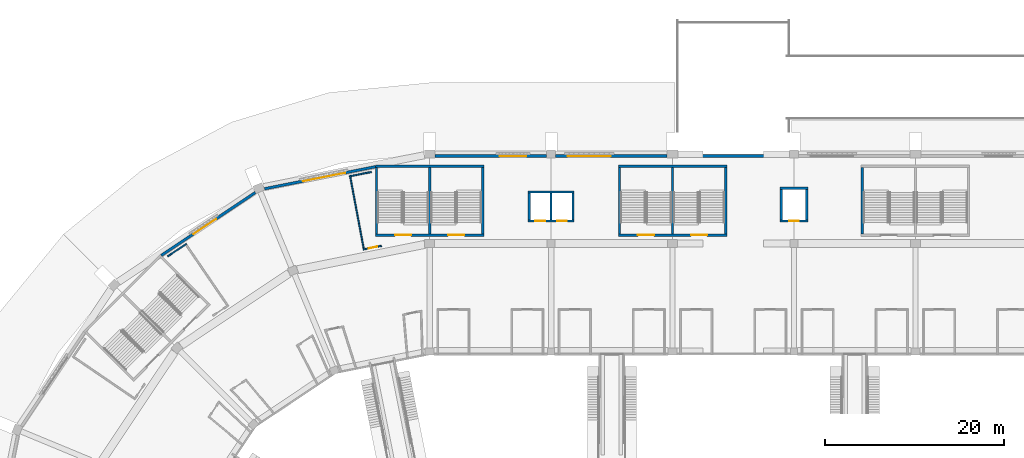
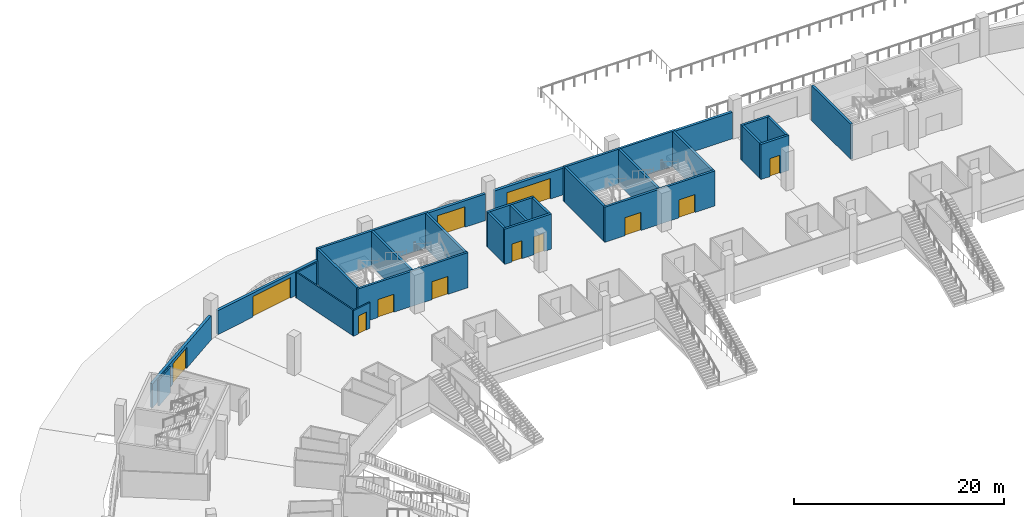
# One storey, part 39 of 175: 29 walls, 12 doors, 12 openings.
"""IFC4 building model written with IfcOpenShell, lengths in metres."""

from ifc_helpers import new_model, si_unit, direction, frame, frame_2d, origin, place, context, subcontext, project, spatial, rectangle, extrude, material, layer, layer_set, type_object, element, fill, save


model = new_model("IFC4")

# Units and contexts
model_context = context("Model", 3, precision=1e-05, world=origin(), true_north=direction((0.0, 1.0)))
body_context = subcontext(model_context, "Body", "Model", "MODEL_VIEW")
ifc_project = project(units=[si_unit("LENGTHUNIT", "METRE"), si_unit("AREAUNIT", "SQUARE_METRE"), si_unit("VOLUMEUNIT", "CUBIC_METRE"), si_unit("PLANEANGLEUNIT", "RADIAN"), si_unit("MASSUNIT", "GRAM", prefix="KILO")], contexts=[model_context])

# Site, building, storey
site_placement = place(None, origin())
site = spatial("IfcSite", under=ifc_project, at=site_placement, CompositionType="ELEMENT")
building_placement = place(site_placement, origin())
building = spatial("IfcBuilding", under=site, at=building_placement, Name="Ogive Plaza Stadium", CompositionType="ELEMENT")
storey_placement = place(building_placement, origin())
storey = spatial("IfcBuildingStorey", under=building, at=storey_placement, Name="L00", CompositionType="ELEMENT", Elevation=0.0)

# Wall
ifc_material_1 = material(Name="Masonry blockwork", Category="masonry")
ifc_layer_1 = layer(ifc_material_1, 0.14990234375)
ifc_layer_set_1 = layer_set([ifc_layer_1], Name="Blockwork wall 150")
wall_type_1 = type_object("IfcWallType", Name="Blockwork wall 150", PredefinedType="SOLIDWALL", material=ifc_layer_set_1)
wall_1_placement = place(storey_placement, frame((-63.332763671875, 91.053955078125, 0.0), z_axis=(0.0, 0.0, 1.0), x_axis=(0.831482054195, 0.555551611961, 0.0)))
element("IfcWall", 1, at=wall_1_placement, inside=storey, type_object=wall_type_1, Name="Wall L00 B30", PredefinedType="SOLIDWALL", context=body_context, shape_type="SweptSolid", body=[
    extrude(rectangle(XDim=2.513671875, YDim=0.14990234375, at=frame_2d((1.2568359375, 0.0))), origin(), (0.0, 0.0, 1.0), 3.0),
])

# Wall, opening, door
wall_2_placement = place(storey_placement, frame((-39.396240234375, 92.2265625, 0.0), z_axis=(0.0, 0.0, 1.0), x_axis=(-0.980792255889, -0.195055250603, 0.0)))
wall_2 = element("IfcWall", 2, at=wall_2_placement, inside=storey, type_object=wall_type_1, Name="Wall L00 B31", PredefinedType="SOLIDWALL", context=body_context, shape_type="SweptSolid", body=[
    extrude(rectangle(XDim=2.080322265625, YDim=0.14990234375, at=frame_2d((1.0400390625, 0.0))), origin(), (0.0, 0.0, 1.0), 3.0),
])
opening_1_placement = place(wall_2_placement, frame((0.47216796875, 0.0, 0.0)))
opening_1 = element("IfcOpeningElement", 3, at=opening_1_placement, cuts=wall_2, Name="Opening D0447", PredefinedType="OPENING", context=body_context, shape_type="SweptSolid", body=[
    extrude(rectangle(XDim=1.0, YDim=2.10009765625, at=frame_2d((0.5, 1.050048828125))), frame((0.0, 0.074951171875, 0.0), z_axis=(0.0, -1.0, 0.0), x_axis=(1.0, 0.0, 0.0)), (0.0, 0.0, 1.0), 0.14990234375),
])
ifc_material_2 = material(Name="Steel ASTM A572 Grade 50", Category="steel")
door_type_1 = type_object("IfcDoorType", Name="Fire door FD60 1000 x 2100", OperationType="SINGLE_SWING_LEFT", PredefinedType="DOOR", material=ifc_material_2)
door_1_placement = place(opening_1_placement, origin())
door_1 = element("IfcDoor", 4, at=door_1_placement, inside=storey, type_object=door_type_1, Name="Concession Store B31 door", OperationType="SINGLE_SWING_RIGHT", OverallHeight=2.10009765625, OverallWidth=1.0, PredefinedType="DOOR", context=body_context, shape_type="SweptSolid", body=[
    extrude(rectangle(XDim=1.0, YDim=2.10009765625, at=frame_2d((0.5, 1.050048828125))), frame((0.0, 0.02490234375, 0.0), z_axis=(0.0, -1.0, 0.0), x_axis=(1.0, 0.0, 0.0)), (0.0, 0.0, 1.0), 0.050048828125),
])
fill(opening_1, door_1)

# Walls
wall_3_placement = place(storey_placement, frame((-40.520263671875, 100.5029296875, 0.0), z_axis=(0.0, 0.0, 1.0), x_axis=(-0.980796747004, -0.195032666665, 0.0)))
element("IfcWall", 5, at=wall_3_placement, inside=storey, type_object=wall_type_1, Name="Wall L00 B31", PredefinedType="SOLIDWALL", context=body_context, shape_type="SweptSolid", body=[
    extrude(rectangle(XDim=2.513671875, YDim=0.14990234375, at=frame_2d((1.2568359375, 0.0))), origin(), (0.0, 0.0, 1.0), 3.0),
])
wall_4_placement = place(storey_placement, frame((-41.38330078125, 91.90625, 0.0), z_axis=(0.0, 0.0, 1.0), x_axis=(-0.184160747979, 0.982896138411, 0.0)))
element("IfcWall", 6, at=wall_4_placement, inside=storey, type_object=wall_type_1, Name="Wall L00 B31", PredefinedType="SOLIDWALL", context=body_context, shape_type="SweptSolid", body=[
    extrude(rectangle(XDim=8.190185546875, YDim=0.14990234375, at=frame_2d((4.09521484375, 0.0))), origin(), (0.0, 0.0, 1.0), 3.0),
])

# Wall, openings, doors
ifc_material_3 = material(Name="Concrete C40/50", Category="concrete")
ifc_layer_2 = layer(ifc_material_3, 0.25)
ifc_layer_set_2 = layer_set([ifc_layer_2], Name="Concrete C40/50")
wall_type_2 = type_object("IfcWallType", Name="Core wall 250", PredefinedType="SHEAR", material=ifc_layer_set_2)
wall_5_placement = place(storey_placement, frame((-27.925048828125, 93.425048828125, 0.0), z_axis=(0.0, 0.0, 1.0), x_axis=(-1.0, 0.0, 0.0)))
wall_5 = element("IfcWall", 7, at=wall_5_placement, inside=storey, type_object=wall_type_2, Name="Stair core R32 inner wall", PredefinedType="SHEAR", context=body_context, shape_type="SweptSolid", body=[
    extrude(rectangle(XDim=12.14990234375, YDim=0.25, at=frame_2d((6.074951171875, 0.0))), origin(), (0.0, 0.0, 1.0), 4.090087890625),
])
opening_2_placement = place(wall_5_placement, frame((2.199951171875, 0.0, 0.0)))
opening_2 = element("IfcOpeningElement", 8, at=opening_2_placement, cuts=wall_5, Name="Opening D0235", PredefinedType="OPENING", context=body_context, shape_type="SweptSolid", body=[
    extrude(rectangle(XDim=1.800048828125, YDim=2.10009765625, at=frame_2d((0.89990234375, 1.050048828125))), frame((0.0, 0.125, 0.0), z_axis=(0.0, -1.0, 0.0), x_axis=(1.0, 0.0, 0.0)), (0.0, 0.0, 1.0), 0.25),
])
opening_3_placement = place(wall_5_placement, frame((8.14990234375, 0.0, 0.0)))
opening_3 = element("IfcOpeningElement", 9, at=opening_3_placement, cuts=wall_5, Name="Opening D0236", PredefinedType="OPENING", context=body_context, shape_type="SweptSolid", body=[
    extrude(rectangle(XDim=1.800048828125, YDim=2.10009765625, at=frame_2d((0.89990234375, 1.050048828125))), frame((0.0, 0.125, 0.0), z_axis=(0.0, -1.0, 0.0), x_axis=(1.0, 0.0, 0.0)), (0.0, 0.0, 1.0), 0.25),
])
ifc_material_4 = material(Name="Steel ASTM A572 Grade 50", Category="steel")
door_type_2 = type_object("IfcDoorType", Name="Fire door FD90 pair 1800 x 2100", OperationType="DOUBLE_DOOR_SINGLE_SWING", PredefinedType="DOOR", material=ifc_material_4)
door_2_placement = place(opening_2_placement, origin())
door_2 = element("IfcDoor", 10, at=door_2_placement, inside=storey, type_object=door_type_2, Name="Exit stair R32A door L00", OperationType="DOUBLE_DOOR_SINGLE_SWING", OverallHeight=2.10009765625, OverallWidth=1.800048828125, PredefinedType="DOOR", context=body_context, shape_type="SweptSolid", body=[
    extrude(rectangle(XDim=1.800048828125, YDim=2.10009765625, at=frame_2d((0.89990234375, 1.050048828125))), frame((0.0, 0.02490234375, 0.0), z_axis=(0.0, -1.0, 0.0), x_axis=(1.0, 0.0, 0.0)), (0.0, 0.0, 1.0), 0.050048828125),
])
fill(opening_2, door_2)
door_3_placement = place(opening_3_placement, origin())
door_3 = element("IfcDoor", 11, at=door_3_placement, inside=storey, type_object=door_type_2, Name="Exit stair R32B door L00", OperationType="DOUBLE_DOOR_SINGLE_SWING", OverallHeight=2.10009765625, OverallWidth=1.800048828125, PredefinedType="DOOR", context=body_context, shape_type="SweptSolid", body=[
    extrude(rectangle(XDim=1.800048828125, YDim=2.10009765625, at=frame_2d((0.89990234375, 1.050048828125))), frame((0.0, 0.02490234375, 0.0), z_axis=(0.0, -1.0, 0.0), x_axis=(1.0, 0.0, 0.0)), (0.0, 0.0, 1.0), 0.050048828125),
])
fill(opening_3, door_3)

# Walls
wall_6_placement = place(storey_placement, frame((-27.925048828125, 101.135009765625, 0.0), z_axis=(0.0, 0.0, 1.0), x_axis=(-1.0, 0.0, 0.0)))
element("IfcWall", 12, at=wall_6_placement, inside=storey, type_object=wall_type_2, Name="Stair core R32 outer wall", PredefinedType="SHEAR", context=body_context, shape_type="SweptSolid", body=[
    extrude(rectangle(XDim=12.14990234375, YDim=0.25, at=frame_2d((6.074951171875, 0.0))), origin(), (0.0, 0.0, 1.0), 4.090087890625),
])
for number, where, z_axis, x_axis, name in (
    (13, (-28.050048828125, 93.550048828125, 0.0), (0.0, 0.0, 1.0), (0.0, 1.0, 0.0), "Stair core R32 side wall"),
    (14, (-39.949951171875, 93.550048828125, 0.0), (0.0, 0.0, 1.0), (0.0, 1.0, 0.0), "Stair core R32 side wall"),
    (15, (-34.0, 93.550048828125, 0.0), (0.0, 0.0, 1.0), (0.0, 1.0, 0.0), "Stair core R32 centre wall"),
):
    element("IfcWall", number, at=place(storey_placement, frame(where, z_axis=z_axis, x_axis=x_axis)), inside=storey, type_object=wall_type_2, Name=name, PredefinedType="SHEAR", context=body_context, shape_type="SweptSolid", body=[
        extrude(rectangle(XDim=7.4599609375, YDim=0.25, at=frame_2d((3.72998046875, 0.0))), origin(), (0.0, 0.0, 1.0), 4.090087890625),
    ])

# Wall, openings, doors
wall_7_placement = place(storey_placement, frame((-0.72509765625, 93.425048828125, 0.0), z_axis=(0.0, 0.0, 1.0), x_axis=(-1.0, 0.0, 0.0)))
wall_7 = element("IfcWall", 16, at=wall_7_placement, inside=storey, type_object=wall_type_2, Name="Stair core R34 inner wall", PredefinedType="SHEAR", context=body_context, shape_type="SweptSolid", body=[
    extrude(rectangle(XDim=12.14990234375, YDim=0.25, at=frame_2d((6.074951171875, 0.0))), origin(), (0.0, 0.0, 1.0), 4.090087890625),
])
opening_4_placement = place(wall_7_placement, frame((2.199951171875, 0.0, 0.0)))
opening_4 = element("IfcOpeningElement", 17, at=opening_4_placement, cuts=wall_7, Name="Opening D0247", PredefinedType="OPENING", context=body_context, shape_type="SweptSolid", body=[
    extrude(rectangle(XDim=1.800048828125, YDim=2.10009765625, at=frame_2d((0.89990234375, 1.050048828125))), frame((0.0, 0.125, 0.0), z_axis=(0.0, -1.0, 0.0), x_axis=(1.0, 0.0, 0.0)), (0.0, 0.0, 1.0), 0.25),
])
opening_5_placement = place(wall_7_placement, frame((8.14990234375, 0.0, 0.0)))
opening_5 = element("IfcOpeningElement", 18, at=opening_5_placement, cuts=wall_7, Name="Opening D0248", PredefinedType="OPENING", context=body_context, shape_type="SweptSolid", body=[
    extrude(rectangle(XDim=1.800048828125, YDim=2.10009765625, at=frame_2d((0.89990234375, 1.050048828125))), frame((0.0, 0.125, 0.0), z_axis=(0.0, -1.0, 0.0), x_axis=(1.0, 0.0, 0.0)), (0.0, 0.0, 1.0), 0.25),
])
door_4_placement = place(opening_4_placement, origin())
door_4 = element("IfcDoor", 19, at=door_4_placement, inside=storey, type_object=door_type_2, Name="Exit stair R34A door L00", OperationType="DOUBLE_DOOR_SINGLE_SWING", OverallHeight=2.10009765625, OverallWidth=1.800048828125, PredefinedType="DOOR", context=body_context, shape_type="SweptSolid", body=[
    extrude(rectangle(XDim=1.800048828125, YDim=2.10009765625, at=frame_2d((0.89990234375, 1.050048828125))), frame((0.0, 0.02490234375, 0.0), z_axis=(0.0, -1.0, 0.0), x_axis=(1.0, 0.0, 0.0)), (0.0, 0.0, 1.0), 0.050048828125),
])
fill(opening_4, door_4)
door_5_placement = place(opening_5_placement, origin())
door_5 = element("IfcDoor", 20, at=door_5_placement, inside=storey, type_object=door_type_2, Name="Exit stair R34B door L00", OperationType="DOUBLE_DOOR_SINGLE_SWING", OverallHeight=2.10009765625, OverallWidth=1.800048828125, PredefinedType="DOOR", context=body_context, shape_type="SweptSolid", body=[
    extrude(rectangle(XDim=1.800048828125, YDim=2.10009765625, at=frame_2d((0.89990234375, 1.050048828125))), frame((0.0, 0.02490234375, 0.0), z_axis=(0.0, -1.0, 0.0), x_axis=(1.0, 0.0, 0.0)), (0.0, 0.0, 1.0), 0.050048828125),
])
fill(opening_5, door_5)

# Walls
wall_8_placement = place(storey_placement, frame((-0.72509765625, 101.135009765625, 0.0), z_axis=(0.0, 0.0, 1.0), x_axis=(-1.0, 0.0, 0.0)))
element("IfcWall", 21, at=wall_8_placement, inside=storey, type_object=wall_type_2, Name="Stair core R34 outer wall", PredefinedType="SHEAR", context=body_context, shape_type="SweptSolid", body=[
    extrude(rectangle(XDim=12.14990234375, YDim=0.25, at=frame_2d((6.074951171875, 0.0))), origin(), (0.0, 0.0, 1.0), 4.090087890625),
])
for number, where, z_axis, x_axis, name in (
    (22, (-0.85009765625, 93.550048828125, 0.0), (0.0, 0.0, 1.0), (0.0, 1.0, 0.0), "Stair core R34 side wall"),
    (23, (-12.75, 93.550048828125, 0.0), (0.0, 0.0, 1.0), (0.0, 1.0, 0.0), "Stair core R34 side wall"),
    (24, (-6.800048828125, 93.550048828125, 0.0), (0.0, 0.0, 1.0), (0.0, 1.0, 0.0), "Stair core R34 centre wall"),
    (25, (14.449951171875, 93.550048828125, 0.0), (0.0, 0.0, 1.0), (0.0, 1.0, 0.0), "Stair core R36 side wall"),
):
    element("IfcWall", number, at=place(storey_placement, frame(where, z_axis=z_axis, x_axis=x_axis)), inside=storey, type_object=wall_type_2, Name=name, PredefinedType="SHEAR", context=body_context, shape_type="SweptSolid", body=[
        extrude(rectangle(XDim=7.4599609375, YDim=0.25, at=frame_2d((3.72998046875, 0.0))), origin(), (0.0, 0.0, 1.0), 4.090087890625),
    ])

# Wall, openings, doors
wall_9_placement = place(storey_placement, frame((-17.824951171875, 95.02490234375, 0.0), z_axis=(0.0, 0.0, 1.0), x_axis=(-1.0, 0.0, 0.0)))
wall_9 = element("IfcWall", 26, at=wall_9_placement, inside=storey, type_object=wall_type_2, Name="Lift core LP33 landing wall", PredefinedType="SHEAR", context=body_context, shape_type="SweptSolid", body=[
    extrude(rectangle(XDim=5.150146484375, YDim=0.25, at=frame_2d((2.5751953125, 0.0))), origin(), (0.0, 0.0, 1.0), 4.090087890625),
])
opening_6_placement = place(wall_9_placement, frame((0.800048828125, 0.0, 0.0)))
opening_6 = element("IfcOpeningElement", 27, at=opening_6_placement, cuts=wall_9, Name="Opening LD072", PredefinedType="OPENING", context=body_context, shape_type="SweptSolid", body=[
    extrude(rectangle(XDim=1.10009765625, YDim=2.10009765625, at=frame_2d((0.550048828125, 1.050048828125))), frame((0.0, 0.125, 0.0), z_axis=(0.0, -1.0, 0.0), x_axis=(1.0, 0.0, 0.0)), (0.0, 0.0, 1.0), 0.25),
])
opening_7_placement = place(wall_9_placement, frame((3.25, 0.0, 0.0)))
opening_7 = element("IfcOpeningElement", 28, at=opening_7_placement, cuts=wall_9, Name="Opening LD073", PredefinedType="OPENING", context=body_context, shape_type="SweptSolid", body=[
    extrude(rectangle(XDim=1.10009765625, YDim=2.10009765625, at=frame_2d((0.550048828125, 1.050048828125))), frame((0.0, 0.125, 0.0), z_axis=(0.0, -1.0, 0.0), x_axis=(1.0, 0.0, 0.0)), (0.0, 0.0, 1.0), 0.25),
])
ifc_material_5 = material(Name="Steel ASTM A572 Grade 50", Category="steel")
door_type_3 = type_object("IfcDoorType", Name="Landing door 1100 x 2100", OperationType="SLIDING_TO_LEFT", PredefinedType="DOOR", material=ifc_material_5)
door_6_placement = place(opening_6_placement, origin())
door_6 = element("IfcDoor", 29, at=door_6_placement, inside=storey, type_object=door_type_3, Name="Lift landing door LP33 L00", OperationType="SLIDING_TO_LEFT", OverallHeight=2.10009765625, OverallWidth=1.10009765625, PredefinedType="DOOR", context=body_context, shape_type="SweptSolid", body=[
    extrude(rectangle(XDim=1.10009765625, YDim=2.10009765625, at=frame_2d((0.550048828125, 1.050048828125))), frame((0.0, 0.02490234375, 0.0), z_axis=(0.0, -1.0, 0.0), x_axis=(1.0, 0.0, 0.0)), (0.0, 0.0, 1.0), 0.050048828125),
])
fill(opening_6, door_6)
door_7_placement = place(opening_7_placement, origin())
door_7 = element("IfcDoor", 30, at=door_7_placement, inside=storey, type_object=door_type_3, Name="Lift landing door LP33 L00", OperationType="SLIDING_TO_LEFT", OverallHeight=2.10009765625, OverallWidth=1.10009765625, PredefinedType="DOOR", context=body_context, shape_type="SweptSolid", body=[
    extrude(rectangle(XDim=1.10009765625, YDim=2.10009765625, at=frame_2d((0.550048828125, 1.050048828125))), frame((0.0, 0.02490234375, 0.0), z_axis=(0.0, -1.0, 0.0), x_axis=(1.0, 0.0, 0.0)), (0.0, 0.0, 1.0), 0.050048828125),
])
fill(opening_7, door_7)

# Walls
wall_10_placement = place(storey_placement, frame((-17.824951171875, 98.27490234375, 0.0), z_axis=(0.0, 0.0, 1.0), x_axis=(-1.0, 0.0, 0.0)))
element("IfcWall", 31, at=wall_10_placement, inside=storey, type_object=wall_type_2, Name="Lift core LP33 rear wall", PredefinedType="SHEAR", context=body_context, shape_type="SweptSolid", body=[
    extrude(rectangle(XDim=5.150146484375, YDim=0.25, at=frame_2d((2.5751953125, 0.0))), origin(), (0.0, 0.0, 1.0), 4.090087890625),
])
for number, where, z_axis, x_axis, name in (
    (32, (-17.949951171875, 95.14990234375, 0.0), (0.0, 0.0, 1.0), (0.0, 1.0, 0.0), "Lift core LP33 side wall"),
    (33, (-22.85009765625, 95.14990234375, 0.0), (0.0, 0.0, 1.0), (0.0, 1.0, 0.0), "Lift core LP33 side wall"),
    (34, (-20.39990234375, 95.14990234375, 0.0), (0.0, 0.0, 1.0), (0.0, 1.0, 0.0), "Lift core LP33 centre wall"),
):
    element("IfcWall", number, at=place(storey_placement, frame(where, z_axis=z_axis, x_axis=x_axis)), inside=storey, type_object=wall_type_2, Name=name, PredefinedType="SHEAR", context=body_context, shape_type="SweptSolid", body=[
        extrude(rectangle(XDim=3.0, YDim=0.25, at=frame_2d((1.5, 0.0))), origin(), (0.0, 0.0, 1.0), 4.090087890625),
    ])

# Wall, opening, door
wall_11_placement = place(storey_placement, frame((8.35009765625, 95.02490234375, 0.0), z_axis=(0.0, 0.0, 1.0), x_axis=(-1.0, 0.0, 0.0)))
wall_11 = element("IfcWall", 35, at=wall_11_placement, inside=storey, type_object=wall_type_2, Name="Lift core LS35 landing wall", PredefinedType="SHEAR", context=body_context, shape_type="SweptSolid", body=[
    extrude(rectangle(XDim=3.10009765625, YDim=0.25, at=frame_2d((1.550048828125, 0.0))), origin(), (0.0, 0.0, 1.0), 4.090087890625),
])
opening_8_placement = place(wall_11_placement, frame((1.0, 0.0, 0.0)))
opening_8 = element("IfcOpeningElement", 36, at=opening_8_placement, cuts=wall_11, Name="Opening LD085", PredefinedType="OPENING", context=body_context, shape_type="SweptSolid", body=[
    extrude(rectangle(XDim=1.10009765625, YDim=2.10009765625, at=frame_2d((0.550048828125, 1.050048828125))), frame((0.0, 0.125, 0.0), z_axis=(0.0, -1.0, 0.0), x_axis=(1.0, 0.0, 0.0)), (0.0, 0.0, 1.0), 0.25),
])
door_8_placement = place(opening_8_placement, origin())
door_8 = element("IfcDoor", 37, at=door_8_placement, inside=storey, type_object=door_type_3, Name="Lift landing door LS35 L00", OperationType="SLIDING_TO_LEFT", OverallHeight=2.10009765625, OverallWidth=1.10009765625, PredefinedType="DOOR", context=body_context, shape_type="SweptSolid", body=[
    extrude(rectangle(XDim=1.10009765625, YDim=2.10009765625, at=frame_2d((0.550048828125, 1.050048828125))), frame((0.0, 0.02490234375, 0.0), z_axis=(0.0, -1.0, 0.0), x_axis=(1.0, 0.0, 0.0)), (0.0, 0.0, 1.0), 0.050048828125),
])
fill(opening_8, door_8)

# Walls
wall_12_placement = place(storey_placement, frame((8.35009765625, 98.675048828125, 0.0), z_axis=(0.0, 0.0, 1.0), x_axis=(-1.0, 0.0, 0.0)))
element("IfcWall", 38, at=wall_12_placement, inside=storey, type_object=wall_type_2, Name="Lift core LS35 rear wall", PredefinedType="SHEAR", context=body_context, shape_type="SweptSolid", body=[
    extrude(rectangle(XDim=3.10009765625, YDim=0.25, at=frame_2d((1.550048828125, 0.0))), origin(), (0.0, 0.0, 1.0), 4.090087890625),
])
for number, where, z_axis, x_axis, name in (
    (39, (8.22509765625, 95.14990234375, 0.0), (0.0, 0.0, 1.0), (0.0, 1.0, 0.0), "Lift core LS35 side wall"),
    (40, (5.375, 95.14990234375, 0.0), (0.0, 0.0, 1.0), (0.0, 1.0, 0.0), "Lift core LS35 side wall"),
):
    element("IfcWall", number, at=place(storey_placement, frame(where, z_axis=z_axis, x_axis=x_axis)), inside=storey, type_object=wall_type_2, Name=name, PredefinedType="SHEAR", context=body_context, shape_type="SweptSolid", body=[
        extrude(rectangle(XDim=3.400146484375, YDim=0.25, at=frame_2d((1.7001953125, 0.0))), origin(), (0.0, 0.0, 1.0), 4.090087890625),
    ])

# Wall, opening, door
ifc_material_6 = material(Name="Concrete C45/55 precast", Category="concrete")
ifc_layer_3 = layer(ifc_material_6, 0.25)
ifc_material_7 = material(Name="Cast stone (reconstituted limestone)", Category="masonry")
ifc_layer_4 = layer(ifc_material_7, 0.050048828125)
ifc_layer_set_3 = layer_set([ifc_layer_3, ifc_layer_4], Name="Concrete C45/55 precast, cast stone facing")
wall_type_3 = type_object("IfcWallType", Name="Portal infill wall 300", PredefinedType="SOLIDWALL", material=ifc_layer_set_3)
wall_13_placement = place(storey_placement, frame((-33.39990234375, 102.300048828125, 0.0), z_axis=(0.0, 0.0, 1.0), x_axis=(1.0, 0.0, 0.0)))
wall_13 = element("IfcWall", 41, at=wall_13_placement, inside=storey, type_object=wall_type_3, Name="PORTAL WALL B32", PredefinedType="SOLIDWALL", context=body_context, shape_type="SweptSolid", body=[
    extrude(rectangle(XDim=12.5, YDim=0.300048828125, at=frame_2d((6.25, 0.0))), origin(), (0.0, 0.0, 1.0), 3.090087890625),
])
opening_9_placement = place(wall_13_placement, frame((7.237548828125, 0.0, 0.0)))
opening_9 = element("IfcOpeningElement", 42, at=opening_9_placement, cuts=wall_13, Name="Opening D0032", PredefinedType="OPENING", context=body_context, shape_type="SweptSolid", body=[
    extrude(rectangle(XDim=3.0, YDim=2.39990234375, at=frame_2d((1.5, 1.199951171875))), frame((0.0, 0.16015625, 0.0), z_axis=(0.0, -1.0, 0.0), x_axis=(1.0, 0.0, 0.0)), (0.0, 0.0, 1.0), 0.320068359375),
])
ifc_material_8 = material(Name="Bronze-anodised aluminium and laminated glass", Category="aluminium")
door_type_4 = type_object("IfcDoorType", Name="Exit gate door pair 3000 x 2400", OperationType="DOUBLE_DOOR_SINGLE_SWING", PredefinedType="DOOR", material=ifc_material_8)
door_9_placement = place(opening_9_placement, origin())
door_9 = element("IfcDoor", 43, at=door_9_placement, inside=storey, type_object=door_type_4, Name="Pedestrian exit gate G16", OperationType="DOUBLE_DOOR_SINGLE_SWING", OverallHeight=2.39990234375, OverallWidth=3.0, PredefinedType="DOOR", context=body_context, shape_type="SweptSolid", body=[
    extrude(rectangle(XDim=3.0, YDim=2.39990234375, at=frame_2d((1.5, 1.199951171875))), frame((0.0, 0.02490234375, 0.0), z_axis=(0.0, -1.0, 0.0), x_axis=(1.0, 0.0, 0.0)), (0.0, 0.0, 1.0), 0.050048828125),
])
fill(opening_9, door_9)

wall_14_placement = place(storey_placement, frame((-19.89990234375, 102.300048828125, 0.0), z_axis=(0.0, 0.0, 1.0), x_axis=(1.0, 0.0, 0.0)))
wall_14 = element("IfcWall", 44, at=wall_14_placement, inside=storey, type_object=wall_type_3, Name="PORTAL WALL B33", PredefinedType="SOLIDWALL", context=body_context, shape_type="SweptSolid", body=[
    extrude(rectangle(XDim=12.5, YDim=0.300048828125, at=frame_2d((6.25, 0.0))), origin(), (0.0, 0.0, 1.0), 3.090087890625),
])
opening_10_placement = place(wall_14_placement, frame((1.362548828125, 0.0, 0.0)))
opening_10 = element("IfcOpeningElement", 45, at=opening_10_placement, cuts=wall_14, Name="Opening D0033", PredefinedType="OPENING", context=body_context, shape_type="SweptSolid", body=[
    extrude(rectangle(XDim=4.800048828125, YDim=2.39990234375, at=frame_2d((2.39990234375, 1.199951171875))), frame((0.0, 0.16015625, 0.0), z_axis=(0.0, -1.0, 0.0), x_axis=(1.0, 0.0, 0.0)), (0.0, 0.0, 1.0), 0.320068359375),
])
ifc_material_9 = material(Name="Bronze-anodised aluminium and laminated glass", Category="aluminium")
door_type_5 = type_object("IfcDoorType", Name="Entrance door pair 4800 x 2400", OperationType="DOUBLE_DOOR_SINGLE_SWING", PredefinedType="DOOR", material=ifc_material_9)
door_10_placement = place(opening_10_placement, origin())
door_10 = element("IfcDoor", 46, at=door_10_placement, inside=storey, type_object=door_type_5, Name="Main entrance E17", OperationType="DOUBLE_DOOR_SINGLE_SWING", OverallHeight=2.39990234375, OverallWidth=4.800048828125, PredefinedType="DOOR", context=body_context, shape_type="SweptSolid", body=[
    extrude(rectangle(XDim=4.800048828125, YDim=2.39990234375, at=frame_2d((2.39990234375, 1.199951171875))), frame((0.0, 0.02490234375, 0.0), z_axis=(0.0, -1.0, 0.0), x_axis=(1.0, 0.0, 0.0)), (0.0, 0.0, 1.0), 0.050048828125),
])
fill(opening_10, door_10)

# Wall
wall_15_placement = place(storey_placement, frame((-6.199951171875, 102.300048828125, 0.0), z_axis=(0.0, 0.0, 1.0), x_axis=(1.0, 0.0, 0.0)))
element("IfcWall", 47, at=wall_15_placement, inside=storey, type_object=wall_type_3, Name="PORTAL WALL B34", PredefinedType="SOLIDWALL", context=body_context, shape_type="SweptSolid", body=[
    extrude(rectangle(XDim=12.5, YDim=0.300048828125, at=frame_2d((6.25, 0.0))), origin(), (0.0, 0.0, 1.0), 3.090087890625),
])

# Wall, opening, door
ifc_material_10 = material(Name="Concrete C45/55 precast", Category="concrete")
ifc_layer_5 = layer(ifc_material_10, 0.25)
ifc_material_11 = material(Name="Cast stone (reconstituted limestone)", Category="masonry")
ifc_layer_6 = layer(ifc_material_11, 0.050048828125)
ifc_layer_set_4 = layer_set([ifc_layer_5, ifc_layer_6], Name="Concrete C45/55 precast, cast stone facing")
wall_type_4 = type_object("IfcWallType", Name="Portal infill wall 300 A", PredefinedType="SOLIDWALL", material=ifc_layer_set_4)
wall_16_placement = place(storey_placement, frame((-64.048828125, 91.160400390625, 0.0), z_axis=(0.0, 0.0, 1.0), x_axis=(0.831462397957, 0.555581029899, 0.0)))
wall_16 = element("IfcWall", 48, at=wall_16_placement, inside=storey, type_object=wall_type_4, Name="PORTAL WALL B30", PredefinedType="SOLIDWALL", context=body_context, shape_type="SweptSolid", body=[
    extrude(rectangle(XDim=12.66015625, YDim=0.300048828125, at=frame_2d((6.330078125, 0.0))), origin(), (0.0, 0.0, 1.0), 2.7900390625),
])
opening_11_placement = place(wall_16_placement, frame((4.3486328125, 0.0, 0.0)))
opening_11 = element("IfcOpeningElement", 49, at=opening_11_placement, cuts=wall_16, Name="Opening D0030", PredefinedType="OPENING", context=body_context, shape_type="SweptSolid", body=[
    extrude(rectangle(XDim=3.0, YDim=2.39990234375, at=frame_2d((1.5, 1.199951171875))), frame((0.0, 0.16015625, 0.0), z_axis=(0.0, -1.0, 0.0), x_axis=(1.0, 0.0, 0.0)), (0.0, 0.0, 1.0), 0.320068359375),
])
door_11_placement = place(opening_11_placement, origin())
door_11 = element("IfcDoor", 50, at=door_11_placement, inside=storey, type_object=door_type_4, Name="Pedestrian exit gate G15", OperationType="DOUBLE_DOOR_SINGLE_SWING", OverallHeight=2.39990234375, OverallWidth=3.0, PredefinedType="DOOR", context=body_context, shape_type="SweptSolid", body=[
    extrude(rectangle(XDim=3.0, YDim=2.39990234375, at=frame_2d((1.5, 1.199951171875))), frame((0.0, 0.02490234375, 0.0), z_axis=(0.0, -1.0, 0.0), x_axis=(1.0, 0.0, 0.0)), (0.0, 0.0, 1.0), 0.050048828125),
])
fill(opening_11, door_11)

wall_17_placement = place(storey_placement, frame((-52.506103515625, 98.614990234375, 0.0), z_axis=(0.0, 0.0, 1.0), x_axis=(0.980786090948, 0.195086247086, 0.0)))
wall_17 = element("IfcWall", 51, at=wall_17_placement, inside=storey, type_object=wall_type_4, Name="PORTAL WALL B31", PredefinedType="SOLIDWALL", context=body_context, shape_type="SweptSolid", body=[
    extrude(rectangle(XDim=12.674560546875, YDim=0.300048828125, at=frame_2d((6.33740234375, 0.0))), origin(), (0.0, 0.0, 1.0), 2.7900390625),
])
opening_12_placement = place(wall_17_placement, frame((4.41162109375, 0.0, 0.0)))
opening_12 = element("IfcOpeningElement", 52, at=opening_12_placement, cuts=wall_17, Name="Opening D0031", PredefinedType="OPENING", context=body_context, shape_type="SweptSolid", body=[
    extrude(rectangle(XDim=4.800048828125, YDim=2.39990234375, at=frame_2d((2.39990234375, 1.199951171875))), frame((0.0, 0.16015625, 0.0), z_axis=(0.0, -1.0, 0.0), x_axis=(1.0, 0.0, 0.0)), (0.0, 0.0, 1.0), 0.320068359375),
])
door_12_placement = place(opening_12_placement, origin())
door_12 = element("IfcDoor", 53, at=door_12_placement, inside=storey, type_object=door_type_5, Name="Main entrance E16", OperationType="DOUBLE_DOOR_SINGLE_SWING", OverallHeight=2.39990234375, OverallWidth=4.800048828125, PredefinedType="DOOR", context=body_context, shape_type="SweptSolid", body=[
    extrude(rectangle(XDim=4.800048828125, YDim=2.39990234375, at=frame_2d((2.39990234375, 1.199951171875))), frame((0.0, 0.02490234375, 0.0), z_axis=(0.0, -1.0, 0.0), x_axis=(1.0, 0.0, 0.0)), (0.0, 0.0, 1.0), 0.050048828125),
])
fill(opening_12, door_12)

save(model, "model.ifc")
